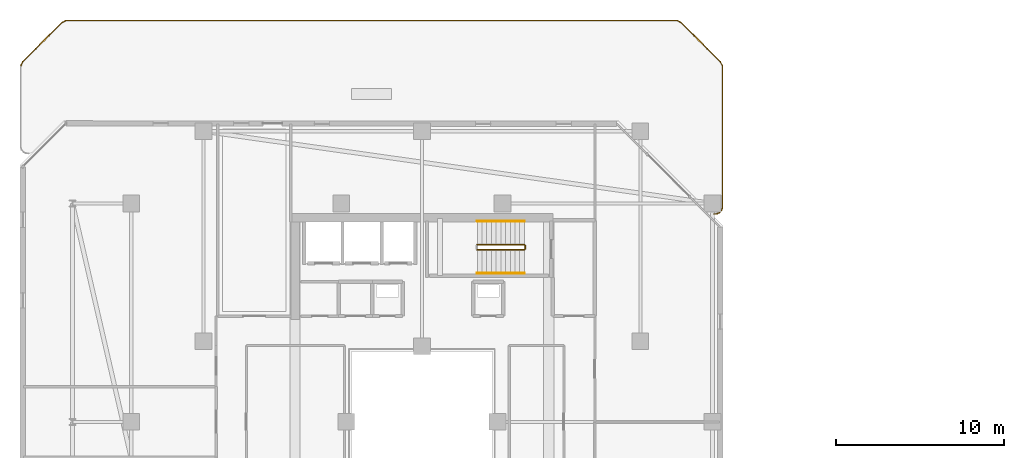
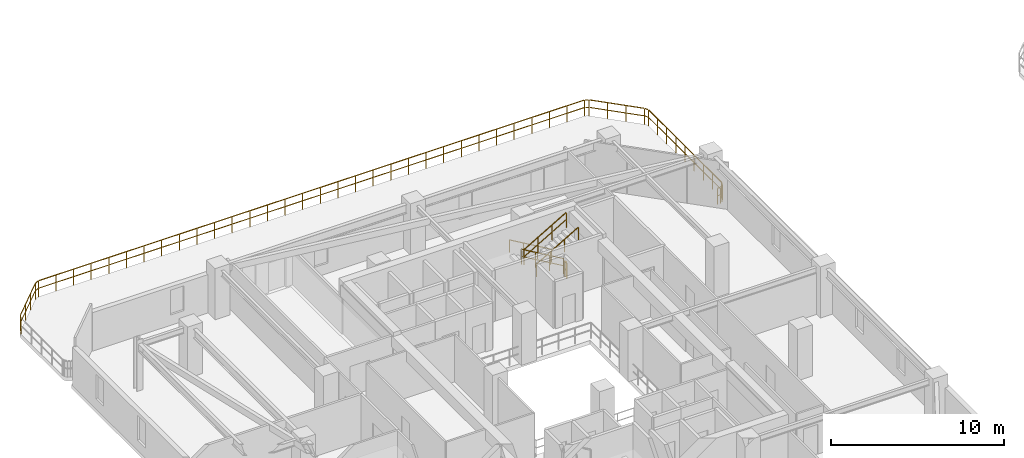
# One storey, part 26 of 29: 6 railings.
"""IFC4 building model written with IfcOpenShell, lengths in metres."""

from ifc_helpers import new_model, si_unit, direction, frame, origin, origin_2d, place, context, subcontext, project, spatial, rectangle, extrude, material, type_object, element, save


model = new_model("IFC4")

# Units and contexts
model_context = context("Model", 3, precision=1e-05, world=origin(), true_north=direction((0.0, 1.0)))
body_context = subcontext(model_context, "Body", "Model", "MODEL_VIEW")
ifc_project = project(units=[si_unit("LENGTHUNIT", "METRE"), si_unit("AREAUNIT", "SQUARE_METRE"), si_unit("VOLUMEUNIT", "CUBIC_METRE"), si_unit("PLANEANGLEUNIT", "RADIAN"), si_unit("MASSUNIT", "GRAM", prefix="KILO")], contexts=[model_context])

# Site, building, storey
site_placement = place(None, origin())
site = spatial("IfcSite", under=ifc_project, at=site_placement, CompositionType="ELEMENT")
building_placement = place(site_placement, origin())
building = spatial("IfcBuilding", under=site, at=building_placement, Name="Thornwick Lancets Civic Towers", CompositionType="ELEMENT")
storey_placement = place(building_placement, frame((0.0, 0.0, 229.5)))
storey = spatial("IfcBuildingStorey", under=building, at=storey_placement, Name="L61", CompositionType="ELEMENT", Elevation=229.5)

# Railings
ifc_material_1 = material(Name="Brushed stainless steel S355", Category="steel")
railing_type_1 = type_object("IfcRailingType", Name="RAIL_HANDRAIL", PredefinedType="HANDRAIL", material=ifc_material_1)
railing_1_placement = place(storey_placement, frame((31.60009765625, 38.949951171875, 0.16357421875)))
element("IfcRailing", 1, at=railing_1_placement, inside=storey, type_object=railing_type_1, Name="L61 ST-A2 stair handrail 1", PredefinedType="HANDRAIL", context=body_context, shape_type="SweptSolid", body=[
    extrude(rectangle(XDim=0.048095703125, YDim=0.048095703125, at=origin_2d()), frame((0.0, 0.0, 0.8857421875), z_axis=(-0.863360870873, 0.0, 0.504586966384), x_axis=(0.0, -1.0, 0.0)), (0.0, 0.0, 1.0), 3.2431640625),
    extrude(rectangle(XDim=0.0419921875, YDim=0.0419921875, at=origin_2d()), origin(), (0.0, 0.0, 1.0), 0.855712890625),
    extrude(rectangle(XDim=0.0419921875, YDim=0.0419921875, at=origin_2d()), frame((-0.933349609375, 0.0, 0.54541015625)), (0.0, 0.0, 1.0), 0.855712890625),
    extrude(rectangle(XDim=0.0419921875, YDim=0.0419921875, at=origin_2d()), frame((-1.86669921875, 0.0, 1.091064453125)), (0.0, 0.0, 1.0), 0.855712890625),
    extrude(rectangle(XDim=0.0419921875, YDim=0.0419921875, at=origin_2d()), frame((-2.800048828125, 0.0, 1.636474609375)), (0.0, 0.0, 1.0), 0.855712890625),
])
railing_2_placement = place(storey_placement, frame((28.800048828125, 35.85009765625, 1.963623046875)))
element("IfcRailing", 2, at=railing_2_placement, inside=storey, type_object=railing_type_1, Name="L61 ST-A2 stair handrail 2", PredefinedType="HANDRAIL", context=body_context, shape_type="SweptSolid", body=[
    extrude(rectangle(XDim=0.048095703125, YDim=0.048095703125, at=origin_2d()), frame((0.0, 0.0, 0.8857421875), z_axis=(0.863360870873, 0.0, 0.504586966384), x_axis=(0.0, 1.0, 0.0)), (0.0, 0.0, 1.0), 3.2431640625),
    extrude(rectangle(XDim=0.0419921875, YDim=0.0419921875, at=origin_2d()), origin(), (0.0, 0.0, 1.0), 0.855712890625),
    extrude(rectangle(XDim=0.0419921875, YDim=0.0419921875, at=origin_2d()), frame((0.933349609375, 0.0, 0.54541015625)), (0.0, 0.0, 1.0), 0.855712890625),
    extrude(rectangle(XDim=0.0419921875, YDim=0.0419921875, at=origin_2d()), frame((1.86669921875, 0.0, 1.091064453125)), (0.0, 0.0, 1.0), 0.855712890625),
    extrude(rectangle(XDim=0.0419921875, YDim=0.0419921875, at=origin_2d()), frame((2.800048828125, 0.0, 1.636474609375)), (0.0, 0.0, 1.0), 0.855712890625),
])
ifc_material_2 = material(Name="Steel S355JR", Category="steel")
railing_type_2 = type_object("IfcRailingType", Name="RAIL_STAIR_GUARD", PredefinedType="GUARDRAIL", material=ifc_material_2)
railing_3_placement = place(storey_placement, frame((31.60009765625, 37.550048828125, 0.16357421875)))
element("IfcRailing", 3, at=railing_3_placement, inside=storey, type_object=railing_type_2, Name="L61 ST-A2 stair guard 1", PredefinedType="GUARDRAIL", context=body_context, shape_type="SweptSolid", body=[
    extrude(rectangle(XDim=0.048095703125, YDim=0.048095703125, at=origin_2d()), frame((0.0, 0.0, 1.076171875), z_axis=(-0.863360870873, 0.0, 0.504586966384), x_axis=(0.0, -1.0, 0.0)), (0.0, 0.0, 1.0), 3.2431640625),
    extrude(rectangle(XDim=0.0419921875, YDim=0.0419921875, at=origin_2d()), frame((-0.032470703125, 0.0, 0.591064453125), z_axis=(-0.863360870873, 0.0, 0.504586966384), x_axis=(0.0, -1.0, 0.0)), (0.0, 0.0, 1.0), 1.006103515625),
    extrude(rectangle(XDim=0.0419921875, YDim=0.0419921875, at=origin_2d()), frame((-0.9658203125, 0.0, 1.136474609375), z_axis=(-0.863360870873, 0.0, 0.504586966384), x_axis=(0.0, -1.0, 0.0)), (0.0, 0.0, 1.0), 1.006103515625),
    extrude(rectangle(XDim=0.0419921875, YDim=0.0419921875, at=origin_2d()), frame((-1.899169921875, 0.0, 1.681884765625), z_axis=(-0.863360870873, 0.0, 0.504586966384), x_axis=(0.0, -1.0, 0.0)), (0.0, 0.0, 1.0), 1.006103515625),
    extrude(rectangle(XDim=0.0419921875, YDim=0.0419921875, at=origin_2d()), origin(), (0.0, 0.0, 1.0), 1.0458984375),
    extrude(rectangle(XDim=0.0419921875, YDim=0.0419921875, at=origin_2d()), frame((-0.933349609375, 0.0, 0.54541015625)), (0.0, 0.0, 1.0), 1.0458984375),
    extrude(rectangle(XDim=0.0419921875, YDim=0.0419921875, at=origin_2d()), frame((-1.86669921875, 0.0, 1.091064453125)), (0.0, 0.0, 1.0), 1.0458984375),
    extrude(rectangle(XDim=0.0419921875, YDim=0.0419921875, at=origin_2d()), frame((-2.800048828125, 0.0, 1.636474609375)), (0.0, 0.0, 1.0), 1.0458984375),
])
railing_4_placement = place(storey_placement, frame((28.800048828125, 37.25, 1.963623046875)))
element("IfcRailing", 4, at=railing_4_placement, inside=storey, type_object=railing_type_2, Name="L61 ST-A2 stair guard 3", PredefinedType="GUARDRAIL", context=body_context, shape_type="SweptSolid", body=[
    extrude(rectangle(XDim=0.048095703125, YDim=0.048095703125, at=origin_2d()), frame((0.0, 0.0, 1.076171875), z_axis=(0.863360870873, 0.0, 0.504586966384), x_axis=(0.0, 1.0, 0.0)), (0.0, 0.0, 1.0), 3.2431640625),
    extrude(rectangle(XDim=0.0419921875, YDim=0.0419921875, at=origin_2d()), frame((0.032470703125, 0.0, 0.591064453125), z_axis=(0.863360870873, 0.0, 0.504586966384), x_axis=(0.0, 1.0, 0.0)), (0.0, 0.0, 1.0), 1.006103515625),
    extrude(rectangle(XDim=0.0419921875, YDim=0.0419921875, at=origin_2d()), frame((0.9658203125, 0.0, 1.136474609375), z_axis=(0.863360870873, 0.0, 0.504586966384), x_axis=(0.0, 1.0, 0.0)), (0.0, 0.0, 1.0), 1.006103515625),
    extrude(rectangle(XDim=0.0419921875, YDim=0.0419921875, at=origin_2d()), frame((1.899169921875, 0.0, 1.681884765625), z_axis=(0.863360870873, 0.0, 0.504586966384), x_axis=(0.0, 1.0, 0.0)), (0.0, 0.0, 1.0), 1.006103515625),
    extrude(rectangle(XDim=0.0419921875, YDim=0.0419921875, at=origin_2d()), origin(), (0.0, 0.0, 1.0), 1.0458984375),
    extrude(rectangle(XDim=0.0419921875, YDim=0.0419921875, at=origin_2d()), frame((0.933349609375, 0.0, 0.54541015625)), (0.0, 0.0, 1.0), 1.0458984375),
    extrude(rectangle(XDim=0.0419921875, YDim=0.0419921875, at=origin_2d()), frame((1.86669921875, 0.0, 1.091064453125)), (0.0, 0.0, 1.0), 1.0458984375),
    extrude(rectangle(XDim=0.0419921875, YDim=0.0419921875, at=origin_2d()), frame((2.800048828125, 0.0, 1.636474609375)), (0.0, 0.0, 1.0), 1.0458984375),
])
railing_5_placement = place(storey_placement, frame((31.64990234375, 37.5, 0.0)))
element("IfcRailing", 5, at=railing_5_placement, inside=storey, type_object=railing_type_2, Name="L61 ST-A2 stair guard 4", PredefinedType="GUARDRAIL", context=body_context, shape_type="SweptSolid", body=[
    extrude(rectangle(XDim=0.048095703125, YDim=0.048095703125, at=origin_2d()), frame((0.0, 0.0, 1.076171875), z_axis=(0.0, -1.0, 0.0), x_axis=(1.0, 0.0, 0.0)), (0.0, 0.0, 1.0), 0.199951171875),
    extrude(rectangle(XDim=0.0419921875, YDim=0.0419921875, at=origin_2d()), frame((0.0, -0.03759765625, 0.572021484375), z_axis=(0.0, -1.0, 0.0), x_axis=(1.0, 0.0, 0.0)), (0.0, 0.0, 1.0), 0.125),
    extrude(rectangle(XDim=0.0419921875, YDim=0.0419921875, at=origin_2d()), origin(), (0.0, 0.0, 1.0), 1.0458984375),
    extrude(rectangle(XDim=0.0419921875, YDim=0.0419921875, at=origin_2d()), frame((0.0, -0.199951171875, 0.0)), (0.0, 0.0, 1.0), 1.0458984375),
])
ifc_material_3 = material(Name="Terracotta-capped laminated glass balustrade S355", Category="masonry")
railing_type_3 = type_object("IfcRailingType", Name="RAIL_TERR_GUARD", PredefinedType="GUARDRAIL", material=ifc_material_3)
railing_6_placement = place(storey_placement, frame((1.602294921875, 48.15771484375, 0.0)))
element("IfcRailing", 6, at=railing_6_placement, inside=storey, type_object=railing_type_3, Name="L61 Tower A Sky-Garden Guard 1 Part 1", PredefinedType="GUARDRAIL", context=body_context, shape_type="SweptSolid", body=[
    extrude(rectangle(XDim=0.048095703125, YDim=0.048095703125, at=origin_2d()), frame((0.0, 0.0, 1.1259765625), z_axis=(0.426805098696, 0.904343633652, 0.0), x_axis=(-0.904343633652, 0.426805098696, 0.0)), (0.0, 0.0, 1.0), 0.27197265625),
    extrude(rectangle(XDim=0.0419921875, YDim=0.0419921875, at=origin_2d()), frame((0.01611328125, 0.033935546875, 0.597900390625), z_axis=(0.426805098696, 0.904343633652, 0.0), x_axis=(-0.904343633652, 0.426805098696, 0.0)), (0.0, 0.0, 1.0), 0.228271484375),
    extrude(rectangle(XDim=0.048095703125, YDim=0.048095703125, at=origin_2d()), frame((0.151611328125, 0.29638671875, 1.1259765625), z_axis=(0.707106781187, 0.707106781187, 0.0), x_axis=(-0.707106781187, 0.707106781187, 0.0)), (0.0, 0.0, 1.0), 3.24169921875),
    extrude(rectangle(XDim=0.0419921875, YDim=0.0419921875, at=origin_2d()), frame((0.156005859375, 0.30078125, 0.597900390625), z_axis=(0.707106781187, 0.707106781187, 0.0), x_axis=(-0.707106781187, 0.707106781187, 0.0)), (0.0, 0.0, 1.0), 1.0263671875),
    extrude(rectangle(XDim=0.0419921875, YDim=0.0419921875, at=origin_2d()), frame((0.934814453125, 1.07958984375, 0.597900390625), z_axis=(0.707106781187, 0.707106781187, 0.0), x_axis=(-0.707106781187, 0.707106781187, 0.0)), (0.0, 0.0, 1.0), 1.0263671875),
    extrude(rectangle(XDim=0.0419921875, YDim=0.0419921875, at=origin_2d()), frame((1.713623046875, 1.8583984375, 0.597900390625), z_axis=(0.707106781187, 0.707106781187, 0.0), x_axis=(-0.707106781187, 0.707106781187, 0.0)), (0.0, 0.0, 1.0), 1.0263671875),
    extrude(rectangle(XDim=0.048095703125, YDim=0.048095703125, at=origin_2d()), frame((2.494140625, 2.6240234375, 1.1259765625), z_axis=(0.904343633652, 0.426805098696, 0.0), x_axis=(-0.426805098696, 0.904343633652, 0.0)), (0.0, 0.0, 1.0), 0.24072265625),
    extrude(rectangle(XDim=0.0419921875, YDim=0.0419921875, at=origin_2d()), frame((2.499755859375, 2.626708984375, 0.597900390625), z_axis=(0.904343633652, 0.426805098696, 0.0), x_axis=(-0.426805098696, 0.904343633652, 0.0)), (0.0, 0.0, 1.0), 0.228271484375),
    extrude(rectangle(XDim=0.048095703125, YDim=0.048095703125, at=origin_2d()), frame((2.771240234375, 2.739990234375, 1.1259765625), z_axis=(0.999999984761, -0.000174582175, 0.0), x_axis=(0.000174582175, 0.999999984761, 0.0)), (0.0, 0.0, 1.0), 36.296630859375),
    extrude(rectangle(XDim=0.0419921875, YDim=0.0419921875, at=origin_2d()), frame((2.777587890625, 2.739990234375, 0.597900390625), z_axis=(0.999999984761, -0.000174582175, 0.0), x_axis=(0.000174582175, 0.999999984761, 0.0)), (0.0, 0.0, 1.0), 1.097900390625),
    extrude(rectangle(XDim=0.0419921875, YDim=0.0419921875, at=origin_2d()), frame((3.950439453125, 2.73974609375, 0.597900390625), z_axis=(0.999999984761, -0.000174582175, 0.0), x_axis=(0.000174582175, 0.999999984761, 0.0)), (0.0, 0.0, 1.0), 1.097900390625),
    extrude(rectangle(XDim=0.0419921875, YDim=0.0419921875, at=origin_2d()), frame((5.123291015625, 2.739501953125, 0.597900390625), z_axis=(0.999999984761, -0.000174582175, 0.0), x_axis=(0.000174582175, 0.999999984761, 0.0)), (0.0, 0.0, 1.0), 1.097900390625),
    extrude(rectangle(XDim=0.0419921875, YDim=0.0419921875, at=origin_2d()), frame((6.296142578125, 2.7392578125, 0.597900390625), z_axis=(0.999999984761, -0.000174582175, 0.0), x_axis=(0.000174582175, 0.999999984761, 0.0)), (0.0, 0.0, 1.0), 1.097900390625),
    extrude(rectangle(XDim=0.0419921875, YDim=0.0419921875, at=origin_2d()), frame((7.468994140625, 2.7392578125, 0.597900390625), z_axis=(0.999999984761, -0.000174582175, 0.0), x_axis=(0.000174582175, 0.999999984761, 0.0)), (0.0, 0.0, 1.0), 1.097900390625),
    extrude(rectangle(XDim=0.0419921875, YDim=0.0419921875, at=origin_2d()), frame((8.641845703125, 2.739013671875, 0.597900390625), z_axis=(0.999999984761, -0.000174582175, 0.0), x_axis=(0.000174582175, 0.999999984761, 0.0)), (0.0, 0.0, 1.0), 1.097900390625),
    extrude(rectangle(XDim=0.0419921875, YDim=0.0419921875, at=origin_2d()), frame((9.814697265625, 2.73876953125, 0.597900390625), z_axis=(0.999999984761, -0.000174582175, 0.0), x_axis=(0.000174582175, 0.999999984761, 0.0)), (0.0, 0.0, 1.0), 1.097900390625),
    extrude(rectangle(XDim=0.0419921875, YDim=0.0419921875, at=origin_2d()), frame((10.987548828125, 2.738525390625, 0.597900390625), z_axis=(0.999999984761, -0.000174582175, 0.0), x_axis=(0.000174582175, 0.999999984761, 0.0)), (0.0, 0.0, 1.0), 1.097900390625),
    extrude(rectangle(XDim=0.0419921875, YDim=0.0419921875, at=origin_2d()), frame((12.160400390625, 2.73828125, 0.597900390625), z_axis=(0.999999984761, -0.000174582175, 0.0), x_axis=(0.000174582175, 0.999999984761, 0.0)), (0.0, 0.0, 1.0), 1.097900390625),
    extrude(rectangle(XDim=0.0419921875, YDim=0.0419921875, at=origin_2d()), frame((13.333251953125, 2.738037109375, 0.597900390625), z_axis=(0.999999984761, -0.000174582175, 0.0), x_axis=(0.000174582175, 0.999999984761, 0.0)), (0.0, 0.0, 1.0), 1.097900390625),
    extrude(rectangle(XDim=0.0419921875, YDim=0.0419921875, at=origin_2d()), frame((14.50634765625, 2.738037109375, 0.597900390625), z_axis=(0.999999984761, -0.000174582175, 0.0), x_axis=(0.000174582175, 0.999999984761, 0.0)), (0.0, 0.0, 1.0), 1.097900390625),
    extrude(rectangle(XDim=0.0419921875, YDim=0.0419921875, at=origin_2d()), frame((15.67919921875, 2.73779296875, 0.597900390625), z_axis=(0.999999984761, -0.000174582175, 0.0), x_axis=(0.000174582175, 0.999999984761, 0.0)), (0.0, 0.0, 1.0), 1.097900390625),
    extrude(rectangle(XDim=0.0419921875, YDim=0.0419921875, at=origin_2d()), frame((16.85205078125, 2.737548828125, 0.597900390625), z_axis=(0.999999984761, -0.000174582175, 0.0), x_axis=(0.000174582175, 0.999999984761, 0.0)), (0.0, 0.0, 1.0), 1.097900390625),
    extrude(rectangle(XDim=0.0419921875, YDim=0.0419921875, at=origin_2d()), frame((18.02490234375, 2.7373046875, 0.597900390625), z_axis=(0.999999984761, -0.000174582175, 0.0), x_axis=(0.000174582175, 0.999999984761, 0.0)), (0.0, 0.0, 1.0), 1.097900390625),
    extrude(rectangle(XDim=0.0419921875, YDim=0.0419921875, at=origin_2d()), frame((19.19775390625, 2.737060546875, 0.597900390625), z_axis=(0.999999984761, -0.000174582175, 0.0), x_axis=(0.000174582175, 0.999999984761, 0.0)), (0.0, 0.0, 1.0), 1.097900390625),
    extrude(rectangle(XDim=0.0419921875, YDim=0.0419921875, at=origin_2d()), frame((20.37060546875, 2.73681640625, 0.597900390625), z_axis=(0.999999984761, -0.000174582175, 0.0), x_axis=(0.000174582175, 0.999999984761, 0.0)), (0.0, 0.0, 1.0), 1.097900390625),
    extrude(rectangle(XDim=0.0419921875, YDim=0.0419921875, at=origin_2d()), frame((21.54345703125, 2.73681640625, 0.597900390625), z_axis=(0.999999984761, -0.000174582175, 0.0), x_axis=(0.000174582175, 0.999999984761, 0.0)), (0.0, 0.0, 1.0), 1.097900390625),
    extrude(rectangle(XDim=0.0419921875, YDim=0.0419921875, at=origin_2d()), frame((22.71630859375, 2.736572265625, 0.597900390625), z_axis=(0.999999984761, -0.000174582175, 0.0), x_axis=(0.000174582175, 0.999999984761, 0.0)), (0.0, 0.0, 1.0), 1.097900390625),
    extrude(rectangle(XDim=0.0419921875, YDim=0.0419921875, at=origin_2d()), frame((23.88916015625, 2.736328125, 0.597900390625), z_axis=(0.999999984761, -0.000174582175, 0.0), x_axis=(0.000174582175, 0.999999984761, 0.0)), (0.0, 0.0, 1.0), 1.097900390625),
    extrude(rectangle(XDim=0.0419921875, YDim=0.0419921875, at=origin_2d()), frame((25.06201171875, 2.736083984375, 0.597900390625), z_axis=(0.999999984761, -0.000174582175, 0.0), x_axis=(0.000174582175, 0.999999984761, 0.0)), (0.0, 0.0, 1.0), 1.097900390625),
    extrude(rectangle(XDim=0.0419921875, YDim=0.0419921875, at=origin_2d()), frame((26.235107421875, 2.73583984375, 0.597900390625), z_axis=(0.999999984761, -0.000174582175, 0.0), x_axis=(0.000174582175, 0.999999984761, 0.0)), (0.0, 0.0, 1.0), 1.097900390625),
    extrude(rectangle(XDim=0.0419921875, YDim=0.0419921875, at=origin_2d()), frame((27.407958984375, 2.735595703125, 0.597900390625), z_axis=(0.999999984761, -0.000174582175, 0.0), x_axis=(0.000174582175, 0.999999984761, 0.0)), (0.0, 0.0, 1.0), 1.097900390625),
    extrude(rectangle(XDim=0.0419921875, YDim=0.0419921875, at=origin_2d()), frame((28.580810546875, 2.735595703125, 0.597900390625), z_axis=(0.999999984761, -0.000174582175, 0.0), x_axis=(0.000174582175, 0.999999984761, 0.0)), (0.0, 0.0, 1.0), 1.097900390625),
    extrude(rectangle(XDim=0.0419921875, YDim=0.0419921875, at=origin_2d()), frame((29.753662109375, 2.7353515625, 0.597900390625), z_axis=(0.999999984761, -0.000174582175, 0.0), x_axis=(0.000174582175, 0.999999984761, 0.0)), (0.0, 0.0, 1.0), 1.097900390625),
    extrude(rectangle(XDim=0.0419921875, YDim=0.0419921875, at=origin_2d()), frame((30.926513671875, 2.735107421875, 0.597900390625), z_axis=(0.999999984761, -0.000174582175, 0.0), x_axis=(0.000174582175, 0.999999984761, 0.0)), (0.0, 0.0, 1.0), 1.097900390625),
    extrude(rectangle(XDim=0.0419921875, YDim=0.0419921875, at=origin_2d()), frame((32.099365234375, 2.73486328125, 0.597900390625), z_axis=(0.999999984761, -0.000174582175, 0.0), x_axis=(0.000174582175, 0.999999984761, 0.0)), (0.0, 0.0, 1.0), 1.097900390625),
    extrude(rectangle(XDim=0.0419921875, YDim=0.0419921875, at=origin_2d()), frame((33.272216796875, 2.734619140625, 0.597900390625), z_axis=(0.999999984761, -0.000174582175, 0.0), x_axis=(0.000174582175, 0.999999984761, 0.0)), (0.0, 0.0, 1.0), 1.097900390625),
    extrude(rectangle(XDim=0.0419921875, YDim=0.0419921875, at=origin_2d()), frame((34.445068359375, 2.734375, 0.597900390625), z_axis=(0.999999984761, -0.000174582175, 0.0), x_axis=(0.000174582175, 0.999999984761, 0.0)), (0.0, 0.0, 1.0), 1.097900390625),
    extrude(rectangle(XDim=0.0419921875, YDim=0.0419921875, at=origin_2d()), frame((35.617919921875, 2.734130859375, 0.597900390625), z_axis=(0.999999984761, -0.000174582175, 0.0), x_axis=(0.000174582175, 0.999999984761, 0.0)), (0.0, 0.0, 1.0), 1.097900390625),
    extrude(rectangle(XDim=0.0419921875, YDim=0.0419921875, at=origin_2d()), frame((36.790771484375, 2.734130859375, 0.597900390625), z_axis=(0.999999984761, -0.000174582175, 0.0), x_axis=(0.000174582175, 0.999999984761, 0.0)), (0.0, 0.0, 1.0), 1.097900390625),
    extrude(rectangle(XDim=0.0419921875, YDim=0.0419921875, at=origin_2d()), frame((37.963623046875, 2.73388671875, 0.597900390625), z_axis=(0.999999984761, -0.000174582175, 0.0), x_axis=(0.000174582175, 0.999999984761, 0.0)), (0.0, 0.0, 1.0), 1.097900390625),
    extrude(rectangle(XDim=0.048095703125, YDim=0.048095703125, at=origin_2d()), frame((39.126708984375, 2.718994140625, 1.1259765625), z_axis=(0.882145912945, -0.470976207759, 0.0), x_axis=(0.470976207759, 0.882145912945, 0.0)), (0.0, 0.0, 1.0), 0.19873046875),
    extrude(rectangle(XDim=0.0419921875, YDim=0.0419921875, at=origin_2d()), frame((39.132080078125, 2.716064453125, 0.597900390625), z_axis=(0.882145912945, -0.470976207759, 0.0), x_axis=(0.470976207759, 0.882145912945, 0.0)), (0.0, 0.0, 1.0), 0.186279296875),
    extrude(rectangle(XDim=0.048095703125, YDim=0.048095703125, at=origin_2d()), frame((39.351806640625, 2.58837890625, 1.1259765625), z_axis=(0.707106781187, -0.707106781187, 0.0), x_axis=(0.707106781187, 0.707106781187, 0.0)), (0.0, 0.0, 1.0), 3.24169921875),
    extrude(rectangle(XDim=0.0419921875, YDim=0.0419921875, at=origin_2d()), frame((39.356201171875, 2.583984375, 0.597900390625), z_axis=(0.707106781187, -0.707106781187, 0.0), x_axis=(0.707106781187, 0.707106781187, 0.0)), (0.0, 0.0, 1.0), 1.0263671875),
    extrude(rectangle(XDim=0.0419921875, YDim=0.0419921875, at=origin_2d()), frame((40.135009765625, 1.80517578125, 0.597900390625), z_axis=(0.707106781187, -0.707106781187, 0.0), x_axis=(0.707106781187, 0.707106781187, 0.0)), (0.0, 0.0, 1.0), 1.0263671875),
    extrude(rectangle(XDim=0.0419921875, YDim=0.0419921875, at=origin_2d()), frame((40.913818359375, 1.0263671875, 0.597900390625), z_axis=(0.707106781187, -0.707106781187, 0.0), x_axis=(0.707106781187, 0.707106781187, 0.0)), (0.0, 0.0, 1.0), 1.0263671875),
    extrude(rectangle(XDim=0.048095703125, YDim=0.048095703125, at=origin_2d()), frame((41.6806640625, 0.24658203125, 1.1259765625), z_axis=(0.470976207759, -0.882145912945, 0.0), x_axis=(0.882145912945, 0.470976207759, 0.0)), (0.0, 0.0, 1.0), 0.19873046875),
    extrude(rectangle(XDim=0.0419921875, YDim=0.0419921875, at=origin_2d()), frame((41.68359375, 0.2412109375, 0.597900390625), z_axis=(0.470976207759, -0.882145912945, 0.0), x_axis=(0.882145912945, 0.470976207759, 0.0)), (0.0, 0.0, 1.0), 0.186279296875),
    extrude(rectangle(XDim=0.048095703125, YDim=0.048095703125, at=origin_2d()), frame((41.7890625, 0.012451171875, 1.1259765625), z_axis=(0.000752902807, -0.999999716569, 0.0), x_axis=(0.999999716569, 0.000752902807, 0.0)), (0.0, 0.0, 1.0), 8.368408203125),
    extrude(rectangle(XDim=0.0419921875, YDim=0.0419921875, at=origin_2d()), frame((41.7890625, 0.006103515625, 0.597900390625), z_axis=(0.000752902807, -0.999999716569, 0.0), x_axis=(0.999999716569, 0.000752902807, 0.0)), (0.0, 0.0, 1.0), 0.978759765625),
    extrude(rectangle(XDim=0.0419921875, YDim=0.0419921875, at=origin_2d()), frame((41.789794921875, -1.047607421875, 0.597900390625), z_axis=(0.000752902807, -0.999999716569, 0.0), x_axis=(0.999999716569, 0.000752902807, 0.0)), (0.0, 0.0, 1.0), 0.978759765625),
    extrude(rectangle(XDim=0.0419921875, YDim=0.0419921875, at=origin_2d()), frame((41.790771484375, -2.1015625, 0.597900390625), z_axis=(0.000752902807, -0.999999716569, 0.0), x_axis=(0.999999716569, 0.000752902807, 0.0)), (0.0, 0.0, 1.0), 0.978759765625),
    extrude(rectangle(XDim=0.0419921875, YDim=0.0419921875, at=origin_2d()), frame((41.79150390625, -3.1552734375, 0.597900390625), z_axis=(0.000752902807, -0.999999716569, 0.0), x_axis=(0.999999716569, 0.000752902807, 0.0)), (0.0, 0.0, 1.0), 0.978759765625),
    extrude(rectangle(XDim=0.0419921875, YDim=0.0419921875, at=origin_2d()), frame((41.792236328125, -4.209228515625, 0.597900390625), z_axis=(0.000752902807, -0.999999716569, 0.0), x_axis=(0.999999716569, 0.000752902807, 0.0)), (0.0, 0.0, 1.0), 0.978759765625),
    extrude(rectangle(XDim=0.0419921875, YDim=0.0419921875, at=origin_2d()), frame((41.79296875, -5.26318359375, 0.597900390625), z_axis=(0.000752902807, -0.999999716569, 0.0), x_axis=(0.999999716569, 0.000752902807, 0.0)), (0.0, 0.0, 1.0), 0.978759765625),
    extrude(rectangle(XDim=0.0419921875, YDim=0.0419921875, at=origin_2d()), frame((41.7939453125, -6.31689453125, 0.597900390625), z_axis=(0.000752902807, -0.999999716569, 0.0), x_axis=(0.999999716569, 0.000752902807, 0.0)), (0.0, 0.0, 1.0), 0.978759765625),
    extrude(rectangle(XDim=0.0419921875, YDim=0.0419921875, at=origin_2d()), frame((41.794677734375, -7.370849609375, 0.597900390625), z_axis=(0.000752902807, -0.999999716569, 0.0), x_axis=(0.999999716569, 0.000752902807, 0.0)), (0.0, 0.0, 1.0), 0.978759765625),
    extrude(rectangle(XDim=0.048095703125, YDim=0.048095703125, at=origin_2d()), frame((41.786376953125, -8.417236328125, 1.1259765625), z_axis=(-0.289389501276, -0.957211427299, 0.0), x_axis=(0.957211427299, -0.289389501276, 0.0)), (0.0, 0.0, 1.0), 0.113037109375),
    extrude(rectangle(XDim=0.0419921875, YDim=0.0419921875, at=origin_2d()), frame((41.78466796875, -8.423095703125, 0.597900390625), z_axis=(-0.289389501276, -0.957211427299, 0.0), x_axis=(0.957211427299, -0.289389501276, 0.0)), (0.0, 0.0, 1.0), 0.1005859375),
    extrude(rectangle(XDim=0.048095703125, YDim=0.048095703125, at=origin_2d()), frame((41.724853515625, -8.579345703125, 1.1259765625), z_axis=(-0.634146109242, -0.773213238462, 0.0), x_axis=(0.773213238462, -0.634146109242, 0.0)), (0.0, 0.0, 1.0), 0.113037109375),
    extrude(rectangle(XDim=0.0419921875, YDim=0.0419921875, at=origin_2d()), frame((41.720947265625, -8.584228515625, 0.597900390625), z_axis=(-0.634146109242, -0.773213238462, 0.0), x_axis=(0.773213238462, -0.634146109242, 0.0)), (0.0, 0.0, 1.0), 0.1005859375),
    extrude(rectangle(XDim=0.048095703125, YDim=0.048095703125, at=origin_2d()), frame((41.605712890625, -8.70556640625, 1.1259765625), z_axis=(-0.882160586654, -0.470948722639, 0.0), x_axis=(0.470948722639, -0.882160586654, 0.0)), (0.0, 0.0, 1.0), 0.11328125),
    extrude(rectangle(XDim=0.0419921875, YDim=0.0419921875, at=origin_2d()), frame((41.600341796875, -8.70849609375, 0.597900390625), z_axis=(-0.882160586654, -0.470948722639, 0.0), x_axis=(0.470948722639, -0.882160586654, 0.0)), (0.0, 0.0, 1.0), 0.100830078125),
    extrude(rectangle(XDim=0.048095703125, YDim=0.048095703125, at=origin_2d()), frame((41.447265625, -8.776611328125, 1.1259765625), z_axis=(-0.99556264392, -0.094101126617, 0.0), x_axis=(0.094101126617, -0.99556264392, 0.0)), (0.0, 0.0, 1.0), 0.147705078125),
    extrude(rectangle(XDim=0.0419921875, YDim=0.0419921875, at=origin_2d()), frame((41.44091796875, -8.777099609375, 0.597900390625), z_axis=(-0.99556264392, -0.094101126617, 0.0), x_axis=(0.094101126617, -0.99556264392, 0.0)), (0.0, 0.0, 1.0), 0.10400390625),
    extrude(rectangle(XDim=0.0419921875, YDim=0.0419921875, at=origin_2d()), origin(), (0.0, 0.0, 1.0), 1.095703125),
    extrude(rectangle(XDim=0.0419921875, YDim=0.0419921875, at=origin_2d()), frame((0.12939453125, 0.274169921875, 0.0)), (0.0, 0.0, 1.0), 1.095703125),
    extrude(rectangle(XDim=0.0419921875, YDim=0.0419921875, at=origin_2d()), frame((0.908203125, 1.052978515625, 0.0)), (0.0, 0.0, 1.0), 1.095703125),
    extrude(rectangle(XDim=0.0419921875, YDim=0.0419921875, at=origin_2d()), frame((1.68701171875, 1.831787109375, 0.0)), (0.0, 0.0, 1.0), 1.095703125),
    extrude(rectangle(XDim=0.0419921875, YDim=0.0419921875, at=origin_2d()), frame((2.4658203125, 2.610595703125, 0.0)), (0.0, 0.0, 1.0), 1.095703125),
    extrude(rectangle(XDim=0.0419921875, YDim=0.0419921875, at=origin_2d()), frame((2.739990234375, 2.739990234375, 0.0)), (0.0, 0.0, 1.0), 1.095703125),
    extrude(rectangle(XDim=0.0419921875, YDim=0.0419921875, at=origin_2d()), frame((3.912841796875, 2.73974609375, 0.0)), (0.0, 0.0, 1.0), 1.095703125),
    extrude(rectangle(XDim=0.0419921875, YDim=0.0419921875, at=origin_2d()), frame((5.085693359375, 2.739501953125, 0.0)), (0.0, 0.0, 1.0), 1.095703125),
    extrude(rectangle(XDim=0.0419921875, YDim=0.0419921875, at=origin_2d()), frame((6.258544921875, 2.7392578125, 0.0)), (0.0, 0.0, 1.0), 1.095703125),
    extrude(rectangle(XDim=0.0419921875, YDim=0.0419921875, at=origin_2d()), frame((7.431396484375, 2.7392578125, 0.0)), (0.0, 0.0, 1.0), 1.095703125),
    extrude(rectangle(XDim=0.0419921875, YDim=0.0419921875, at=origin_2d()), frame((8.604248046875, 2.739013671875, 0.0)), (0.0, 0.0, 1.0), 1.095703125),
    extrude(rectangle(XDim=0.0419921875, YDim=0.0419921875, at=origin_2d()), frame((9.77734375, 2.73876953125, 0.0)), (0.0, 0.0, 1.0), 1.095703125),
    extrude(rectangle(XDim=0.0419921875, YDim=0.0419921875, at=origin_2d()), frame((10.9501953125, 2.738525390625, 0.0)), (0.0, 0.0, 1.0), 1.095703125),
    extrude(rectangle(XDim=0.0419921875, YDim=0.0419921875, at=origin_2d()), frame((12.123046875, 2.73828125, 0.0)), (0.0, 0.0, 1.0), 1.095703125),
    extrude(rectangle(XDim=0.0419921875, YDim=0.0419921875, at=origin_2d()), frame((13.2958984375, 2.738037109375, 0.0)), (0.0, 0.0, 1.0), 1.095703125),
    extrude(rectangle(XDim=0.0419921875, YDim=0.0419921875, at=origin_2d()), frame((14.46875, 2.738037109375, 0.0)), (0.0, 0.0, 1.0), 1.095703125),
    extrude(rectangle(XDim=0.0419921875, YDim=0.0419921875, at=origin_2d()), frame((15.6416015625, 2.73779296875, 0.0)), (0.0, 0.0, 1.0), 1.095703125),
    extrude(rectangle(XDim=0.0419921875, YDim=0.0419921875, at=origin_2d()), frame((16.814453125, 2.737548828125, 0.0)), (0.0, 0.0, 1.0), 1.095703125),
    extrude(rectangle(XDim=0.0419921875, YDim=0.0419921875, at=origin_2d()), frame((17.9873046875, 2.7373046875, 0.0)), (0.0, 0.0, 1.0), 1.095703125),
    extrude(rectangle(XDim=0.0419921875, YDim=0.0419921875, at=origin_2d()), frame((19.16015625, 2.737060546875, 0.0)), (0.0, 0.0, 1.0), 1.095703125),
    extrude(rectangle(XDim=0.0419921875, YDim=0.0419921875, at=origin_2d()), frame((20.3330078125, 2.73681640625, 0.0)), (0.0, 0.0, 1.0), 1.095703125),
    extrude(rectangle(XDim=0.0419921875, YDim=0.0419921875, at=origin_2d()), frame((21.506103515625, 2.73681640625, 0.0)), (0.0, 0.0, 1.0), 1.095703125),
    extrude(rectangle(XDim=0.0419921875, YDim=0.0419921875, at=origin_2d()), frame((22.678955078125, 2.736572265625, 0.0)), (0.0, 0.0, 1.0), 1.095703125),
    extrude(rectangle(XDim=0.0419921875, YDim=0.0419921875, at=origin_2d()), frame((23.851806640625, 2.736328125, 0.0)), (0.0, 0.0, 1.0), 1.095703125),
    extrude(rectangle(XDim=0.0419921875, YDim=0.0419921875, at=origin_2d()), frame((25.024658203125, 2.736083984375, 0.0)), (0.0, 0.0, 1.0), 1.095703125),
    extrude(rectangle(XDim=0.0419921875, YDim=0.0419921875, at=origin_2d()), frame((26.197509765625, 2.73583984375, 0.0)), (0.0, 0.0, 1.0), 1.095703125),
    extrude(rectangle(XDim=0.0419921875, YDim=0.0419921875, at=origin_2d()), frame((27.370361328125, 2.735595703125, 0.0)), (0.0, 0.0, 1.0), 1.095703125),
    extrude(rectangle(XDim=0.0419921875, YDim=0.0419921875, at=origin_2d()), frame((28.543212890625, 2.735595703125, 0.0)), (0.0, 0.0, 1.0), 1.095703125),
    extrude(rectangle(XDim=0.0419921875, YDim=0.0419921875, at=origin_2d()), frame((29.716064453125, 2.7353515625, 0.0)), (0.0, 0.0, 1.0), 1.095703125),
    extrude(rectangle(XDim=0.0419921875, YDim=0.0419921875, at=origin_2d()), frame((30.888916015625, 2.735107421875, 0.0)), (0.0, 0.0, 1.0), 1.095703125),
    extrude(rectangle(XDim=0.0419921875, YDim=0.0419921875, at=origin_2d()), frame((32.061767578125, 2.73486328125, 0.0)), (0.0, 0.0, 1.0), 1.095703125),
    extrude(rectangle(XDim=0.0419921875, YDim=0.0419921875, at=origin_2d()), frame((33.23486328125, 2.734619140625, 0.0)), (0.0, 0.0, 1.0), 1.095703125),
    extrude(rectangle(XDim=0.0419921875, YDim=0.0419921875, at=origin_2d()), frame((34.40771484375, 2.734375, 0.0)), (0.0, 0.0, 1.0), 1.095703125),
    extrude(rectangle(XDim=0.0419921875, YDim=0.0419921875, at=origin_2d()), frame((35.58056640625, 2.734375, 0.0)), (0.0, 0.0, 1.0), 1.095703125),
    extrude(rectangle(XDim=0.0419921875, YDim=0.0419921875, at=origin_2d()), frame((36.75341796875, 2.734130859375, 0.0)), (0.0, 0.0, 1.0), 1.095703125),
    extrude(rectangle(XDim=0.0419921875, YDim=0.0419921875, at=origin_2d()), frame((37.92626953125, 2.73388671875, 0.0)), (0.0, 0.0, 1.0), 1.095703125),
    extrude(rectangle(XDim=0.0419921875, YDim=0.0419921875, at=origin_2d()), frame((39.09912109375, 2.733642578125, 0.0)), (0.0, 0.0, 1.0), 1.095703125),
    extrude(rectangle(XDim=0.0419921875, YDim=0.0419921875, at=origin_2d()), frame((39.32958984375, 2.610595703125, 0.0)), (0.0, 0.0, 1.0), 1.095703125),
    extrude(rectangle(XDim=0.0419921875, YDim=0.0419921875, at=origin_2d()), frame((40.1083984375, 1.831787109375, 0.0)), (0.0, 0.0, 1.0), 1.095703125),
    extrude(rectangle(XDim=0.0419921875, YDim=0.0419921875, at=origin_2d()), frame((40.88720703125, 1.052978515625, 0.0)), (0.0, 0.0, 1.0), 1.095703125),
    extrude(rectangle(XDim=0.0419921875, YDim=0.0419921875, at=origin_2d()), frame((41.666015625, 0.274169921875, 0.0)), (0.0, 0.0, 1.0), 1.095703125),
    extrude(rectangle(XDim=0.0419921875, YDim=0.0419921875, at=origin_2d()), frame((41.7890625, 0.043701171875, 0.0)), (0.0, 0.0, 1.0), 1.095703125),
    extrude(rectangle(XDim=0.0419921875, YDim=0.0419921875, at=origin_2d()), frame((41.789794921875, -1.01025390625, 0.0)), (0.0, 0.0, 1.0), 1.095703125),
    extrude(rectangle(XDim=0.0419921875, YDim=0.0419921875, at=origin_2d()), frame((41.79052734375, -2.06396484375, 0.0)), (0.0, 0.0, 1.0), 1.095703125),
    extrude(rectangle(XDim=0.0419921875, YDim=0.0419921875, at=origin_2d()), frame((41.79150390625, -3.117919921875, 0.0)), (0.0, 0.0, 1.0), 1.095703125),
    extrude(rectangle(XDim=0.0419921875, YDim=0.0419921875, at=origin_2d()), frame((41.792236328125, -4.171875, 0.0)), (0.0, 0.0, 1.0), 1.095703125),
    extrude(rectangle(XDim=0.0419921875, YDim=0.0419921875, at=origin_2d()), frame((41.79296875, -5.2255859375, 0.0)), (0.0, 0.0, 1.0), 1.095703125),
    extrude(rectangle(XDim=0.0419921875, YDim=0.0419921875, at=origin_2d()), frame((41.7939453125, -6.279541015625, 0.0)), (0.0, 0.0, 1.0), 1.095703125),
    extrude(rectangle(XDim=0.0419921875, YDim=0.0419921875, at=origin_2d()), frame((41.794677734375, -7.333251953125, 0.0)), (0.0, 0.0, 1.0), 1.095703125),
    extrude(rectangle(XDim=0.0419921875, YDim=0.0419921875, at=origin_2d()), frame((41.79541015625, -8.38720703125, 0.0)), (0.0, 0.0, 1.0), 1.095703125),
    extrude(rectangle(XDim=0.0419921875, YDim=0.0419921875, at=origin_2d()), frame((41.74462890625, -8.55517578125, 0.0)), (0.0, 0.0, 1.0), 1.095703125),
    extrude(rectangle(XDim=0.0419921875, YDim=0.0419921875, at=origin_2d()), frame((41.63330078125, -8.69091796875, 0.0)), (0.0, 0.0, 1.0), 1.095703125),
    extrude(rectangle(XDim=0.0419921875, YDim=0.0419921875, at=origin_2d()), frame((41.478271484375, -8.773681640625, 0.0)), (0.0, 0.0, 1.0), 1.095703125),
    extrude(rectangle(XDim=0.0419921875, YDim=0.0419921875, at=origin_2d()), frame((41.300048828125, -8.79052734375, 0.0)), (0.0, 0.0, 1.0), 1.095703125),
])

save(model, "model.ifc")
